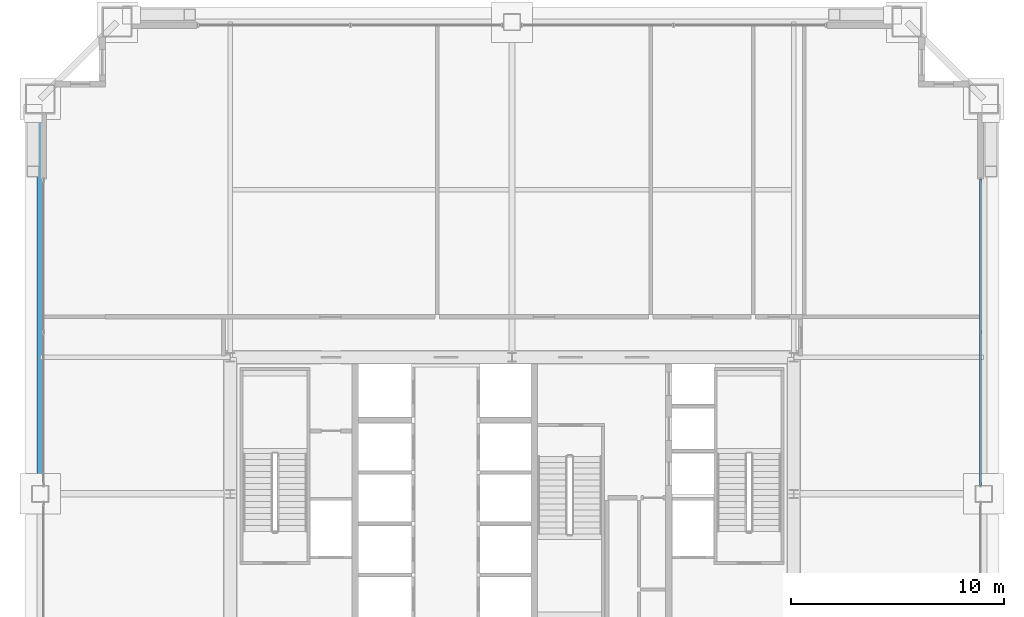
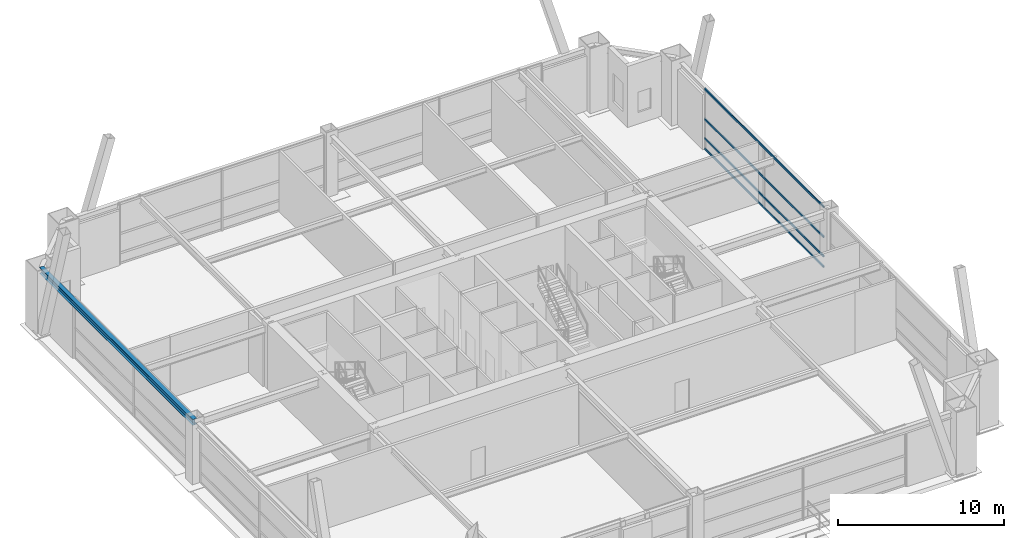
# One storey, part 19 of 34: 4 members, 1 beam, 1 element without a shape of its own.
"""IFC4 building model written with IfcOpenShell, lengths in metres."""

import ifcopenshell
import ifcopenshell.guid

model = None  # the IFC model being written
_history = None  # IfcOwnerHistory: only IFC2X3 demands one
_inside = {}  # id of a spatial element -> (the spatial element, [elements in it])
_under = {}  # id of a project, library or spatial element -> (it, [spatial elements below it])
_declared = {}  # id of a project -> (the project, [libraries it declares])
_typed = {}  # id of a type object -> (the type object, [elements of that type])
_made_of = {}  # id of a material, layer set ... -> (it, [elements and type objects made of it])


def new_model(schema):
    """Start an empty IFC model of exactly this schema.

    Asked for "IFC4X3", IfcOpenShell would pick the latest addendum, in which some entities
    have other attributes; the version numbers below select the first issue.
    IFC2X3 requires an IfcOwnerHistory on every rooted entity: one is made here for all.
    """
    global model, _history
    if schema == "IFC4X3":
        model = ifcopenshell.file(schema_version=(4, 3, 0, 0))
    else:
        model = ifcopenshell.file(schema=schema)
    _inside.clear()
    _under.clear()
    _declared.clear()
    _typed.clear()
    _made_of.clear()
    _history = None
    if model.schema == "IFC2X3":
        org = make("IfcOrganization", Name="unknown")
        user = make(
            "IfcPersonAndOrganization",
            ThePerson=make("IfcPerson", FamilyName="unknown"),
            TheOrganization=org,
        )
        app = make(
            "IfcApplication",
            ApplicationDeveloper=org,
            Version="unknown",
            ApplicationFullName="unknown",
            ApplicationIdentifier="unknown",
        )
        _history = make(
            "IfcOwnerHistory",
            OwningUser=user,
            OwningApplication=app,
            ChangeAction="ADDED",
            CreationDate=0,
        )
    return model


def make(cls, **values):
    """One entity of the class cls with the attributes given. An attribute that is None is left unset."""
    return model.create_entity(
        cls, **{name: value for name, value in values.items() if value is not None}
    )


def rooted(cls, **values):
    """An entity with a GlobalId (a new one), such as an element, a storey or a relation."""
    return make(cls, GlobalId=ifcopenshell.guid.new(), OwnerHistory=_history, **values)


def si_unit(unit_type, name, prefix=None):
    """IfcSIUnit, for example si_unit("LENGTHUNIT", "METRE", prefix="MILLI")."""
    return make("IfcSIUnit", UnitType=unit_type, Prefix=prefix, Name=name)


def assignment(units):
    """IfcUnitAssignment: the units of a project."""
    return None if units is None else make("IfcUnitAssignment", Units=units)


def point(xyz):
    """IfcCartesianPoint."""
    return None if xyz is None else make("IfcCartesianPoint", Coordinates=xyz)


def direction(xyz):
    """IfcDirection."""
    return None if xyz is None else make("IfcDirection", DirectionRatios=xyz)


def frame(location, z_axis=None, x_axis=None):
    """IfcAxis2Placement3D, a coordinate frame: its origin and axes. An axis left out is left unset."""
    return make(
        "IfcAxis2Placement3D",
        Location=point(location),
        Axis=direction(z_axis),
        RefDirection=direction(x_axis),
    )


def frame_2d(location, x_axis=None):
    """IfcAxis2Placement2D, a coordinate frame in the plane: its origin and x axis."""
    return make(
        "IfcAxis2Placement2D", Location=point(location), RefDirection=direction(x_axis)
    )


def origin():
    """The frame at (0, 0, 0) with its axes left unset."""
    return frame((0.0, 0.0, 0.0))


def origin_2d():
    """The frame at (0, 0) in the plane with its x axis left unset."""
    return frame_2d((0.0, 0.0))


def place(relative_to, where):
    """IfcLocalPlacement: puts the frame where relative to a parent placement (None: the world)."""
    return make(
        "IfcLocalPlacement", PlacementRelTo=relative_to, RelativePlacement=where
    )


def context(
    kind, dimensions, precision=None, world=None, true_north=None, identifier=None
):
    """IfcGeometricRepresentationContext, for example the 3D "Model" context."""
    return make(
        "IfcGeometricRepresentationContext",
        ContextIdentifier=identifier,
        ContextType=kind,
        CoordinateSpaceDimension=dimensions,
        Precision=precision,
        WorldCoordinateSystem=world,
        TrueNorth=true_north,
    )


def subcontext(parent, identifier, kind, view, scale=None):
    """IfcGeometricRepresentationSubContext, for example "Body" below "Model"."""
    return make(
        "IfcGeometricRepresentationSubContext",
        ContextIdentifier=identifier,
        ContextType=kind,
        ParentContext=parent,
        TargetScale=scale,
        TargetView=view,
    )


def project(units=None, contexts=None):
    """IfcProject with its units and contexts."""
    return rooted(
        "IfcProject",
        Name="project",
        RepresentationContexts=contexts,
        UnitsInContext=assignment(units),
    )


def spatial(cls, under=None, at=None, **own):
    """A site, building, storey or space (cls), placed at a placement, below another one or the project."""
    s = rooted(cls, ObjectPlacement=at, **own)
    if under is not None:
        _under.setdefault(under.id(), (under, []))[1].append(s)
    return s


def profile(cls, at=None, kind="AREA", **sizes):
    """A parametric profile (cls). Its sizes go by their IFC names, for example OverallWidth=200.0."""
    return make(cls, ProfileType=kind, Position=at, **sizes)


def hollow_rectangle(**sizes):
    """IfcRectangleHollowProfileDef."""
    return profile("IfcRectangleHollowProfileDef", **sizes)


def i_section(**sizes):
    """IfcIShapeProfileDef."""
    return profile("IfcIShapeProfileDef", **sizes)


def extrude(swept, where, along, depth):
    """IfcExtrudedAreaSolid: the profile swept, set in the frame where, extruded along a direction by depth."""
    return make(
        "IfcExtrudedAreaSolid",
        SweptArea=swept,
        Position=where,
        ExtrudedDirection=direction(along),
        Depth=depth,
    )


def shape(context_of_items, identifier, shape_type, items):
    """IfcShapeRepresentation: the items that make up one representation, for example the "Body"."""
    return make(
        "IfcShapeRepresentation",
        ContextOfItems=context_of_items,
        RepresentationIdentifier=identifier,
        RepresentationType=shape_type,
        Items=items,
    )


def source(mapping_origin, context_of_items, identifier, shape_type, items):
    """IfcRepresentationMap: a shape defined once, which mapped items show again and again."""
    return make(
        "IfcRepresentationMap",
        MappingOrigin=mapping_origin,
        MappedRepresentation=shape(context_of_items, identifier, shape_type, items),
    )


def transform(
    local_origin,
    x_axis=None,
    y_axis=None,
    z_axis=None,
    scale=None,
    scale2=None,
    scale3=None,
    uniform=True,
):
    """IfcCartesianTransformationOperator3D, or its non-uniform kind. x_axis, y_axis, z_axis: its Axis1, 2, 3."""
    if uniform:
        return make(
            "IfcCartesianTransformationOperator3D",
            Axis1=direction(x_axis),
            Axis2=direction(y_axis),
            LocalOrigin=point(local_origin),
            Scale=scale,
            Axis3=direction(z_axis),
        )
    return make(
        "IfcCartesianTransformationOperator3DnonUniform",
        Axis1=direction(x_axis),
        Axis2=direction(y_axis),
        LocalOrigin=point(local_origin),
        Scale=scale,
        Axis3=direction(z_axis),
        Scale2=scale2,
        Scale3=scale3,
    )


def mapped(mapping_source, mapping_target):
    """IfcMappedItem: shows the shape of a source again, moved by a transform."""
    return make(
        "IfcMappedItem", MappingSource=mapping_source, MappingTarget=mapping_target
    )


def material(Name=None, Category=None):
    """IfcMaterial."""
    return make("IfcMaterial", Name=Name, Category=Category)


def layer(
    of_material, thickness, ventilated=None, Name=None, Category=None, Priority=None
):
    """IfcMaterialLayer: one layer of a wall or slab, of a material (None: an air gap)."""
    return make(
        "IfcMaterialLayer",
        Material=of_material,
        LayerThickness=thickness,
        IsVentilated=ventilated,
        Name=Name,
        Category=Category,
        Priority=Priority,
    )


def layer_set(layers, Name=None):
    """IfcMaterialLayerSet."""
    return make("IfcMaterialLayerSet", MaterialLayers=layers, LayerSetName=Name)


def material_profile(
    of_material, cross_section, Name=None, Category=None, Priority=None
):
    """IfcMaterialProfile: a cross section and its material."""
    return make(
        "IfcMaterialProfile",
        Name=Name,
        Material=of_material,
        Profile=cross_section,
        Priority=Priority,
        Category=Category,
    )


def profile_set(profiles, Name=None, composite=None):
    """IfcMaterialProfileSet."""
    return make(
        "IfcMaterialProfileSet",
        Name=Name,
        MaterialProfiles=profiles,
        CompositeProfile=composite,
    )


def made_of(thing, what):
    """Note that an element or type object is made of a material, layer set ...; save() writes the relation."""
    if what is not None:
        _made_of.setdefault(what.id(), (what, []))[1].append(thing)
    return thing


def type_object(cls, material=None, **own):
    """A type object (cls), such as IfcWallType, which elements share."""
    return made_of(rooted(cls, **own), material)


def element(
    cls,
    number,
    at=None,
    inside=None,
    cuts=None,
    type_object=None,
    material=None,
    context=None,
    identifier="Body",
    shape_type=None,
    held_by="IfcProductDefinitionShape",
    body=None,
    shapes=None,
    **own,
):
    """One element of the class cls, such as IfcWall. Its Tag is "e" and its number.

    at: its placement. inside: the storey or other place that contains it. cuts: it is an
    opening in that element (IfcRelVoidsElement). A single representation is given by context,
    identifier, shape_type and body (its items); several are given by shapes. held_by: the class
    of the entity that holds the representations. save() writes the other relations.
    """
    e = rooted(cls, Tag="e%d" % number, ObjectPlacement=at, **own)
    if body is not None:
        shapes = [shape(context, identifier, shape_type, body)]
    if shapes is not None:
        e.Representation = make(held_by, Representations=shapes)
    if inside is not None:
        _inside.setdefault(inside.id(), (inside, []))[1].append(e)
    if cuts is not None:
        rooted(
            "IfcRelVoidsElement", RelatingBuildingElement=cuts, RelatedOpeningElement=e
        )
    if type_object is not None:
        _typed.setdefault(type_object.id(), (type_object, []))[1].append(e)
    return made_of(e, material)


def aggregate(whole, parts):
    """IfcRelAggregates: a whole, such as a stair, and the parts it consists of."""
    return rooted("IfcRelAggregates", RelatingObject=whole, RelatedObjects=parts)


def save(model, path):
    """Write the relations noted so far, then the file.

    IfcRelAggregates (storeys below a building ...), IfcRelContainedInSpatialStructure (elements
    in a storey), IfcRelDefinesByType, IfcRelAssociatesMaterial and IfcRelDeclares: one each for
    every whole, place, type object, material and project.
    """
    for whole, parts in _under.values():
        aggregate(whole, parts)
    for where, things in _inside.values():
        rooted(
            "IfcRelContainedInSpatialStructure",
            RelatedElements=things,
            RelatingStructure=where,
        )
    for kind, things in _typed.values():
        rooted("IfcRelDefinesByType", RelatedObjects=things, RelatingType=kind)
    for what, things in _made_of.values():
        rooted("IfcRelAssociatesMaterial", RelatedObjects=things, RelatingMaterial=what)
    for by, libraries in _declared.values():
        rooted("IfcRelDeclares", RelatingContext=by, RelatedDefinitions=libraries)
    model.write(path)


model = new_model("IFC4")

# Units and contexts
model_context = context("Model", 3, precision=1e-05, world=origin(), true_north=direction((0.0, 1.0)))
body_context = subcontext(model_context, "Body", "Model", "MODEL_VIEW")
ifc_project = project(units=[si_unit("LENGTHUNIT", "METRE"), si_unit("AREAUNIT", "SQUARE_METRE"), si_unit("VOLUMEUNIT", "CUBIC_METRE"), si_unit("PLANEANGLEUNIT", "RADIAN"), si_unit("MASSUNIT", "GRAM", prefix="KILO"), si_unit("THERMODYNAMICTEMPERATUREUNIT", "KELVIN"), si_unit("POWERUNIT", "WATT")], contexts=[model_context])

# Site, building, storey
site_placement = place(None, origin())
site = spatial("IfcSite", under=ifc_project, at=site_placement, CompositionType="ELEMENT")
building_placement = place(site_placement, origin())
building = spatial("IfcBuilding", under=site, at=building_placement, Name="Yuzanri Waterfront Tower", CompositionType="ELEMENT")
storey_placement = place(building_placement, frame((0.0, 0.0, 166.800048828125)))
storey = spatial("IfcBuildingStorey", under=building, at=storey_placement, Name="L44", CompositionType="ELEMENT", Elevation=166.800048828125)

# Beam
ifc_material_1 = material(Name="Steel Q355B", Category="steel")
ifc_material_profile_1 = material_profile(ifc_material_1, i_section(OverallWidth=0.300048828125, OverallDepth=0.43994140625, WebThickness=0.010986328125, FlangeThickness=0.01806640625, at=origin_2d()), Name="HM 440x300x11x18")
ifc_profile_set_1 = profile_set([ifc_material_profile_1], Name="Steel Q355B")
beam_type = type_object("IfcBeamType", Name="Perimeter Spandrel Q355B HM 440x300", PredefinedType="SPANDREL", material=ifc_profile_set_1)
shared_shape_1 = source(origin(), body_context, "Body", "SweptSolid", [
    extrude(i_section(OverallWidth=0.300048828125, OverallDepth=0.43994140625, WebThickness=0.010986328125, FlangeThickness=0.01806640625, at=origin_2d()), origin(), (0.0, 0.0, 1.0), 18.5),
])
beam_placement = place(storey_placement, frame((14.89990234375, 44.300048828125, 4.280029296875), z_axis=(0.0, -1.0, 0.0), x_axis=(1.0, 0.0, 0.0)))
element("IfcBeam", 1, at=beam_placement, inside=storey, type_object=beam_type, Name="L44 Perimeter Spandrel W3-W2", PredefinedType="SPANDREL", context=body_context, shape_type="MappedRepresentation", body=[
    mapped(shared_shape_1, transform((0.0, 0.0, 0.0), scale=1.0)),
])

# Curtain wall, members
ifc_material_2 = material(Name="Anodized Architectural Bronze", Category="metal")
ifc_layer = layer(ifc_material_2, 0.159912109375)
ifc_layer_set = layer_set([ifc_layer], Name="Anodized Architectural Bronze")
curtain_wall_type = type_object("IfcCurtainWallType", Name="Anodized Bronze Sky-Lobby Triple-Glazed Feature Curtain Wall 7500", PredefinedType="NOTDEFINED", material=ifc_layer_set)
curtain_wall_placement = place(storey_placement, origin())
curtain_wall = element("IfcCurtainWall", 2, at=curtain_wall_placement, inside=storey, type_object=curtain_wall_type, Name="L44 Curtain Wall CW-L44-ER", PredefinedType="NOTDEFINED")
ifc_material_3 = material(Name="Anodized Architectural Bronze", Category="metal")
ifc_material_profile_2 = material_profile(ifc_material_3, hollow_rectangle(XDim=0.074951171875, YDim=0.14990234375, WallThickness=0.00390625, at=origin_2d()), Name="CWT 75x150")
ifc_profile_set_2 = profile_set([ifc_material_profile_2], Name="Anodized Architectural Bronze")
member_type = type_object("IfcMemberType", Name="Anodized Bronze Primary Curtain-Wall Transom 75x150", PredefinedType="USERDEFINED", material=ifc_profile_set_2)
shared_shape_2 = source(origin(), body_context, "Body", "SweptSolid", [
    extrude(hollow_rectangle(XDim=0.074951171875, YDim=0.14990234375, WallThickness=0.00390625, at=origin_2d()), origin(), (0.0, 0.0, 1.0), 14.35009765625),
])
member_1_placement = place(storey_placement, frame((58.949951171875, 26.199951171875, 0.050048828125), z_axis=(0.0, 1.0, 0.0), x_axis=(-1.0, 0.0, 0.0)))
member_1 = element("IfcMember", 3, at=member_1_placement, type_object=member_type, Name="CW-L44-ER Transom 1", ObjectType="TRANSOM", PredefinedType="USERDEFINED", context=body_context, shape_type="MappedRepresentation", body=[
    mapped(shared_shape_2, transform((0.0, 0.0, 0.0), scale=1.0)),
])
member_2_placement = place(storey_placement, frame((58.949951171875, 26.199951171875, 0.820068359375), z_axis=(0.0, 1.0, 0.0), x_axis=(-1.0, 0.0, 0.0)))
member_2 = element("IfcMember", 4, at=member_2_placement, type_object=member_type, Name="CW-L44-ER Transom 2", ObjectType="TRANSOM", PredefinedType="USERDEFINED", context=body_context, shape_type="MappedRepresentation", body=[
    mapped(shared_shape_2, transform((0.0, 0.0, 0.0), scale=1.0)),
])
member_3_placement = place(storey_placement, frame((58.949951171875, 26.199951171875, 2.25), z_axis=(0.0, 1.0, 0.0), x_axis=(-1.0, 0.0, 0.0)))
member_3 = element("IfcMember", 5, at=member_3_placement, type_object=member_type, Name="CW-L44-ER Transom 3", ObjectType="TRANSOM", PredefinedType="USERDEFINED", context=body_context, shape_type="MappedRepresentation", body=[
    mapped(shared_shape_2, transform((0.0, 0.0, 0.0), scale=1.0)),
])
member_4_placement = place(storey_placement, frame((58.949951171875, 26.199951171875, 4.449951171875), z_axis=(0.0, 1.0, 0.0), x_axis=(-1.0, 0.0, 0.0)))
member_4 = element("IfcMember", 6, at=member_4_placement, type_object=member_type, Name="CW-L44-ER Transom 4", ObjectType="TRANSOM", PredefinedType="USERDEFINED", context=body_context, shape_type="MappedRepresentation", body=[
    mapped(shared_shape_2, transform((0.0, 0.0, 0.0), scale=1.0)),
])
aggregate(curtain_wall, [member_1, member_2, member_3, member_4])

save(model, "model.ifc")
